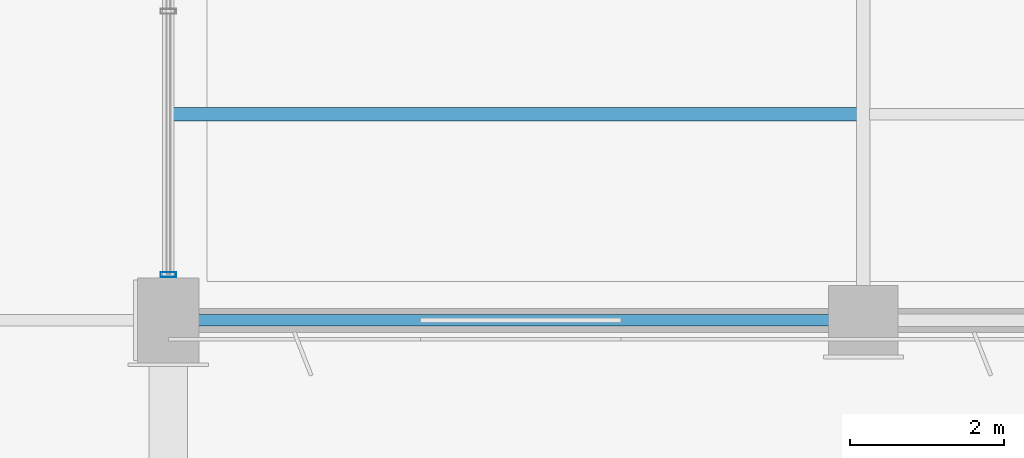
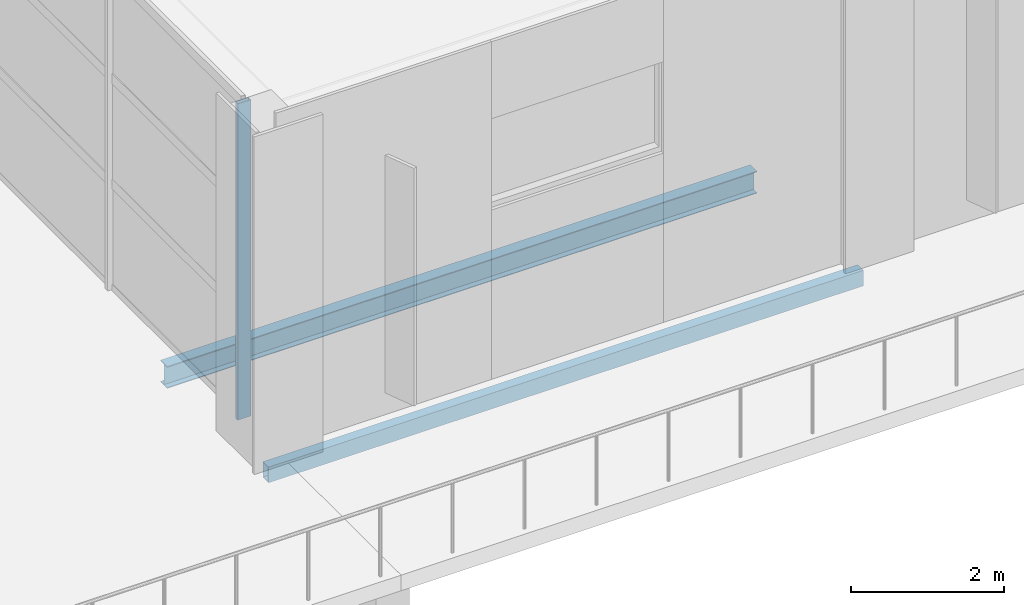
# One storey, part 33 of 90: 2 beams, 1 member, 1 element without a shape of its own.
"""IFC4 building model written with IfcOpenShell, lengths in metres."""

from ifc_helpers import new_model, si_unit, direction, frame, origin, origin_2d, place, context, subcontext, project, spatial, hollow_rectangle, i_section, extrude, material, material_profile, profile_set, type_object, element, aggregate, save


model = new_model("IFC4")

# Units and contexts
model_context = context("Model", 3, precision=1e-05, world=origin(), true_north=direction((0.0, 1.0)))
body_context = subcontext(model_context, "Body", "Model", "MODEL_VIEW")
ifc_project = project(units=[si_unit("LENGTHUNIT", "METRE"), si_unit("AREAUNIT", "SQUARE_METRE"), si_unit("VOLUMEUNIT", "CUBIC_METRE"), si_unit("PLANEANGLEUNIT", "RADIAN"), si_unit("MASSUNIT", "GRAM", prefix="KILO")], contexts=[model_context])

# Site, building, storey
site_placement = place(None, origin())
site = spatial("IfcSite", under=ifc_project, at=site_placement, CompositionType="ELEMENT")
building_placement = place(site_placement, origin())
building = spatial("IfcBuilding", under=site, at=building_placement, Name="Solvikara Media Centre", CompositionType="ELEMENT")
storey_placement = place(building_placement, origin())
storey = spatial("IfcBuildingStorey", under=building, at=storey_placement, Name="L00", CompositionType="ELEMENT", Elevation=0.0)

# Beams
ifc_material_1 = material(Name="Steel S355JR", Category="steel")
ifc_material_profile_1 = material_profile(ifc_material_1, i_section(OverallWidth=0.175048828125, OverallDepth=0.35009765625, WebThickness=0.007080078125, FlangeThickness=0.010986328125, at=origin_2d()), Name="WF 350x175x7x11")
ifc_profile_set_1 = profile_set([ifc_material_profile_1], Name="Steel S355JR")
beam_type_1 = type_object("IfcBeamType", Name="BM-22", PredefinedType="JOIST", material=ifc_profile_set_1)
beam_1_placement = place(storey_placement, frame((127.5, 2.6669921875, -0.556884765625), z_axis=(1.0, 0.0, 0.0), x_axis=(0.0, 1.0, 0.0)))
element("IfcBeam", 1, at=beam_1_placement, inside=storey, type_object=beam_type_1, Name="J-L00-0378", PredefinedType="JOIST", context=body_context, shape_type="SweptSolid", body=[
    extrude(i_section(OverallWidth=0.175048828125, OverallDepth=0.35009765625, WebThickness=0.007080078125, FlangeThickness=0.010986328125, at=origin_2d()), origin(), (0.0, 0.0, 1.0), 8.922119140625),
])
ifc_material_profile_2 = material_profile(ifc_material_1, hollow_rectangle(XDim=0.14990234375, YDim=0.25, WallThickness=0.008056640625, at=origin_2d()), Name="RHS 250x150x8")
ifc_profile_set_2 = profile_set([ifc_material_profile_2], Name="Steel S355JR")
beam_type_2 = type_object("IfcBeamType", Name="BM-36", PredefinedType="JOIST", material=ifc_profile_set_2)
beam_2_placement = place(storey_placement, frame((127.5, 0.0, -0.507080078125), z_axis=(1.0, 0.0, 0.0), x_axis=(0.0, 1.0, 0.0)))
element("IfcBeam", 2, at=beam_2_placement, inside=storey, type_object=beam_type_2, Name="B-L00-X0014", PredefinedType="JOIST", context=body_context, shape_type="SweptSolid", body=[
    extrude(hollow_rectangle(XDim=0.14990234375, YDim=0.25, WallThickness=0.008056640625, at=origin_2d()), origin(), (0.0, 0.0, 1.0), 9.0),
])

# Curtain wall, member
ifc_material_2 = material(Name="Anodised aluminium EN AW-6063", Category="aluminium")
curtain_wall_type = type_object("IfcCurtainWallType", Name="CW-11", PredefinedType="NOTDEFINED", material=ifc_material_2)
curtain_wall_placement = place(storey_placement, origin())
curtain_wall = element("IfcCurtainWall", 3, at=curtain_wall_placement, inside=storey, type_object=curtain_wall_type, Name="CW-L00-V5-WS-S1", PredefinedType="NOTDEFINED")
ifc_material_profile_3 = material_profile(ifc_material_2, hollow_rectangle(XDim=0.06494140625, YDim=0.199951171875, WallThickness=0.00390625, at=origin_2d()), Name="ALU-M 65x200x4")
ifc_profile_set_3 = profile_set([ifc_material_profile_3], Name="Anodised aluminium EN AW-6063")
member_type = type_object("IfcMemberType", Name="MF-02", PredefinedType="MULLION", material=ifc_profile_set_3)
member_placement = place(storey_placement, frame((127.5, 0.590087890625, 0.02001953125), z_axis=(0.0, 0.0, 1.0), x_axis=(0.0, 1.0, 0.0)))
member = element("IfcMember", 4, at=member_placement, type_object=member_type, Name="CW-L00-V5-WS-S1-M00", PredefinedType="MULLION", context=body_context, shape_type="SweptSolid", body=[
    extrude(hollow_rectangle(XDim=0.06494140625, YDim=0.199951171875, WallThickness=0.00390625, at=origin_2d()), origin(), (0.0, 0.0, 1.0), 5.06005859375),
])
aggregate(curtain_wall, [member])

save(model, "model.ifc")
